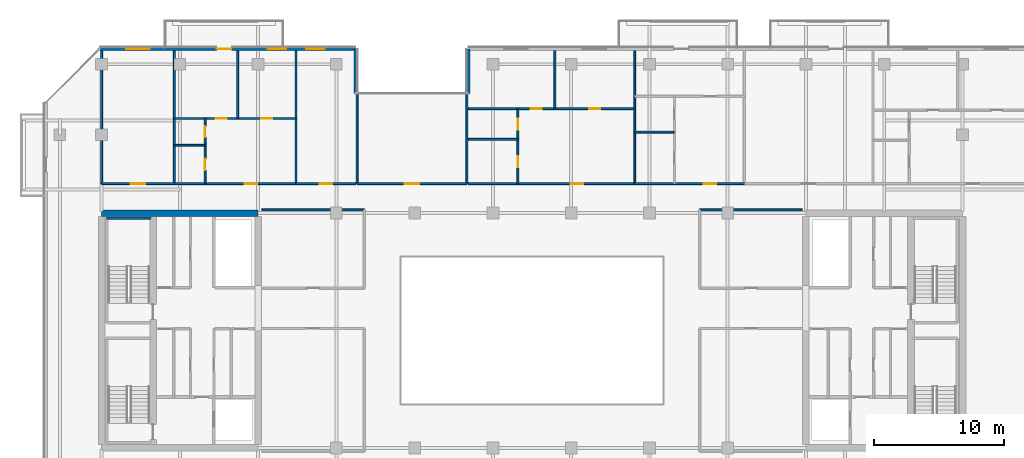
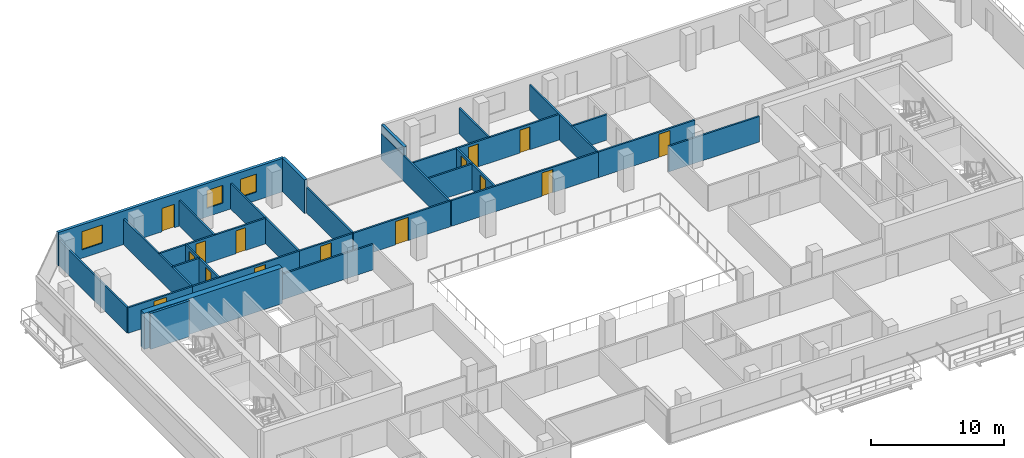
# One storey, part 22 of 29: 28 walls, 15 doors, 3 windows, 18 openings.
"""IFC4 building model written with IfcOpenShell, lengths in metres."""

from ifc_helpers import new_model, si_unit, direction, frame, frame_2d, origin, place, context, subcontext, project, spatial, rectangle, extrude, material, layer, layer_set, type_object, element, fill, save


model = new_model("IFC4")

# Units and contexts
model_context = context("Model", 3, precision=1e-05, world=origin(), true_north=direction((0.0, 1.0)))
body_context = subcontext(model_context, "Body", "Model", "MODEL_VIEW")
ifc_project = project(units=[si_unit("LENGTHUNIT", "METRE"), si_unit("AREAUNIT", "SQUARE_METRE"), si_unit("VOLUMEUNIT", "CUBIC_METRE"), si_unit("PLANEANGLEUNIT", "RADIAN"), si_unit("MASSUNIT", "GRAM", prefix="KILO")], contexts=[model_context])

# Site, building, storey
site_placement = place(None, origin())
site = spatial("IfcSite", under=ifc_project, at=site_placement, CompositionType="ELEMENT")
building_placement = place(site_placement, origin())
building = spatial("IfcBuilding", under=site, at=building_placement, Name="Tanjung Sevakor Pilgrim Tower", CompositionType="ELEMENT")
storey_placement = place(building_placement, frame((0.0, 0.0, 151.800048828125)))
storey = spatial("IfcBuildingStorey", under=building, at=storey_placement, Name="L42", CompositionType="ELEMENT", Elevation=151.800048828125)

# Walls
ifc_material_1 = material(Name="Concrete C60/75", Category="concrete")
ifc_layer_1 = layer(ifc_material_1, 0.5)
ifc_layer_set_1 = layer_set([ifc_layer_1], Name="WALL-CW-500")
wall_type_1 = type_object("IfcWallType", Name="WALL-CW-500", PredefinedType="SHEAR", material=ifc_layer_set_1)
wall_1_placement = place(storey_placement, frame((36.0, 42.60009765625, 0.0), z_axis=(0.0, 0.0, 1.0), x_axis=(-1.0, 0.0, 0.0)))
element("IfcWall", 1, at=wall_1_placement, inside=storey, type_object=wall_type_1, Name="L42 W Core North Shear Wall", PredefinedType="SHEAR", context=body_context, shape_type="SweptSolid", body=[
    extrude(rectangle(XDim=12.0, YDim=0.5, at=frame_2d((6.0, 0.0))), origin(), (0.0, 0.0, 1.0), 3.300048828125),
])
ifc_material_2 = material(Name="Concrete C40/50", Category="concrete")
ifc_layer_2 = layer(ifc_material_2, 0.14990234375)
ifc_layer_set_2 = layer_set([ifc_layer_2], Name="WT-COMP-150")
wall_type_2 = type_object("IfcWallType", Name="WT-COMP-150", PredefinedType="SOLIDWALL", material=ifc_layer_set_2)
for number, where, z_axis, x_axis, name in (
    (2, (36.27001953125, 42.85009765625, 0.0), (0.0, 0.0, 1.0), (1.0, 0.0, 0.0), "L42 Partition IW-L42-037"),
    (3, (69.85009765625, 42.85009765625, 0.0), (0.0, 0.0, 1.0), (1.0, 0.0, 0.0), "L42 Partition IW-L42-043"),
):
    element("IfcWall", number, at=place(storey_placement, frame(where, z_axis=z_axis, x_axis=x_axis)), inside=storey, type_object=wall_type_2, Name=name, PredefinedType="SOLIDWALL", context=body_context, shape_type="SweptSolid", body=[
        extrude(rectangle(XDim=7.8798828125, YDim=0.14990234375, at=frame_2d((3.93994140625, 0.0))), origin(), (0.0, 0.0, 1.0), 2.35009765625),
    ])

# Wall, opening, door
wall_2_placement = place(storey_placement, frame((43.60009765625, 44.85009765625, 0.0), z_axis=(0.0, 0.0, 1.0), x_axis=(1.0, 0.0, 0.0)))
wall_2 = element("IfcWall", 4, at=wall_2_placement, inside=storey, type_object=wall_type_2, Name="L42 Partition IW-L42-048", PredefinedType="SOLIDWALL", context=body_context, shape_type="SweptSolid", body=[
    extrude(rectangle(XDim=8.39990234375, YDim=0.14990234375, at=frame_2d((4.199951171875, 0.0))), origin(), (0.0, 0.0, 1.0), 2.35009765625),
])
opening_1_placement = place(wall_2_placement, frame((3.64990234375, 0.0, 0.0)))
opening_1 = element("IfcOpeningElement", 5, at=opening_1_placement, cuts=wall_2, Name="Opening ID-RM2", PredefinedType="OPENING", context=body_context, shape_type="SweptSolid", body=[
    extrude(rectangle(XDim=1.10009765625, YDim=2.14990234375, at=frame_2d((0.550048828125, 1.074951171875))), frame((0.0, 0.0849609375, 0.0), z_axis=(0.0, -1.0, 0.0), x_axis=(1.0, 0.0, 0.0)), (0.0, 0.0, 1.0), 0.169921875),
])
ifc_material_3 = material(Name="Hardwood Timber", Category="wood")
door_type_1 = type_object("IfcDoorType", Name="DT-INT-1100", OperationType="NOTDEFINED", PredefinedType="DOOR", material=ifc_material_3)
door_1_placement = place(opening_1_placement, origin())
door_1 = element("IfcDoor", 6, at=door_1_placement, inside=storey, type_object=door_type_1, Name="L42 North Cleft Reading Room Door", OperationType="SINGLE_SWING_RIGHT", OverallHeight=2.14990234375, OverallWidth=1.10009765625, PredefinedType="DOOR", context=body_context, shape_type="SweptSolid", body=[
    extrude(rectangle(XDim=1.10009765625, YDim=2.14990234375, at=frame_2d((0.550048828125, 1.074951171875))), frame((0.0, 0.02490234375, 0.0), z_axis=(0.0, -1.0, 0.0), x_axis=(1.0, 0.0, 0.0)), (0.0, 0.0, 1.0), 0.050048828125),
])
fill(opening_1, door_1)

# Walls
for number, where, z_axis, x_axis, name in (
    (7, (43.60009765625, 44.85009765625, 0.0), (0.0, 0.0, 1.0), (0.0, 1.0, 0.0), "L42 Partition IW-L42-049"),
    (8, (52.0, 44.85009765625, 0.0), (0.0, 0.0, 1.0), (0.0, 1.0, 0.0), "L42 Partition IW-L42-050"),
    (9, (24.0, 44.85009765625, 0.0), (0.0, 0.0, 1.0), (0.0, 1.0, 0.0), "L42 Partition IW-L42-079"),
    (10, (29.58984375, 44.85009765625, 0.0), (0.0, 0.0, 1.0), (0.0, 1.0, 0.0), "L42 Partition IW-L42-080"),
):
    element("IfcWall", number, at=place(storey_placement, frame(where, z_axis=z_axis, x_axis=x_axis)), inside=storey, type_object=wall_type_2, Name=name, PredefinedType="SOLIDWALL", context=body_context, shape_type="SweptSolid", body=[
        extrude(rectangle(XDim=10.199951171875, YDim=0.14990234375, at=frame_2d((5.10009765625, 0.0))), origin(), (0.0, 0.0, 1.0), 2.35009765625),
    ])

# Wall, opening, door
wall_3_placement = place(storey_placement, frame((24.0, 44.85009765625, 0.0), z_axis=(0.0, 0.0, 1.0), x_axis=(1.0, 0.0, 0.0)))
wall_3 = element("IfcWall", 11, at=wall_3_placement, inside=storey, type_object=wall_type_2, Name="L42 Partition IW-L42-081", PredefinedType="SOLIDWALL", context=body_context, shape_type="SweptSolid", body=[
    extrude(rectangle(XDim=5.58984375, YDim=0.14990234375, at=frame_2d((2.794921875, 0.0))), origin(), (0.0, 0.0, 1.0), 2.35009765625),
])
opening_2_placement = place(wall_3_placement, frame((2.2451171875, 0.0, 0.0)))
opening_2 = element("IfcOpeningElement", 12, at=opening_2_placement, cuts=wall_3, Name="Opening ID-FD0", PredefinedType="OPENING", context=body_context, shape_type="SweptSolid", body=[
    extrude(rectangle(XDim=1.10009765625, YDim=2.14990234375, at=frame_2d((0.550048828125, 1.074951171875))), frame((0.0, 0.0849609375, 0.0), z_axis=(0.0, -1.0, 0.0), x_axis=(1.0, 0.0, 0.0)), (0.0, 0.0, 1.0), 0.169921875),
])
ifc_material_4 = material(Name="Fire-Rated Steel S355J2", Category="steel")
door_type_2 = type_object("IfcDoorType", Name="DT-FIRE-1100", OperationType="NOTDEFINED", PredefinedType="DOOR", material=ifc_material_4)
door_2_placement = place(opening_2_placement, origin())
door_2 = element("IfcDoor", 13, at=door_2_placement, inside=storey, type_object=door_type_2, Name="Seminar Room Door", OperationType="SINGLE_SWING_RIGHT", OverallHeight=2.14990234375, OverallWidth=1.10009765625, PredefinedType="DOOR", context=body_context, shape_type="SweptSolid", body=[
    extrude(rectangle(XDim=1.10009765625, YDim=2.14990234375, at=frame_2d((0.550048828125, 1.074951171875))), frame((0.0, 0.02490234375, 0.0), z_axis=(0.0, -1.0, 0.0), x_axis=(1.0, 0.0, 0.0)), (0.0, 0.0, 1.0), 0.050048828125),
])
fill(opening_2, door_2)

# Wall
wall_4_placement = place(storey_placement, frame((38.906494140625, 44.85009765625, 0.0), z_axis=(0.0, 0.0, 1.0), x_axis=(0.0, 1.0, 0.0)))
element("IfcWall", 14, at=wall_4_placement, inside=storey, type_object=wall_type_2, Name="L42 Partition IW-L42-082", PredefinedType="SOLIDWALL", context=body_context, shape_type="SweptSolid", body=[
    extrude(rectangle(XDim=10.199951171875, YDim=0.14990234375, at=frame_2d((5.10009765625, 0.0))), origin(), (0.0, 0.0, 1.0), 2.35009765625),
])

# Wall, opening, door
wall_5_placement = place(storey_placement, frame((29.58984375, 44.85009765625, 0.0), z_axis=(0.0, 0.0, 1.0), x_axis=(1.0, 0.0, 0.0)))
wall_5 = element("IfcWall", 15, at=wall_5_placement, inside=storey, type_object=wall_type_2, Name="L42 Partition IW-L42-087", PredefinedType="SOLIDWALL", context=body_context, shape_type="SweptSolid", body=[
    extrude(rectangle(XDim=9.316650390625, YDim=0.14990234375, at=frame_2d((4.658203125, 0.0))), origin(), (0.0, 0.0, 1.0), 2.35009765625),
])
opening_3_placement = place(wall_5_placement, frame((5.398193359375, 0.0, 0.0)))
opening_3 = element("IfcOpeningElement", 16, at=opening_3_placement, cuts=wall_5, Name="Opening ID-FD2", PredefinedType="OPENING", context=body_context, shape_type="SweptSolid", body=[
    extrude(rectangle(XDim=0.949951171875, YDim=2.14990234375, at=frame_2d((0.47509765625, 1.074951171875))), frame((0.0, 0.0849609375, 0.0), z_axis=(0.0, -1.0, 0.0), x_axis=(1.0, 0.0, 0.0)), (0.0, 0.0, 1.0), 0.169921875),
])
ifc_material_5 = material(Name="Fire-Rated Timber", Category="wood")
door_type_3 = type_object("IfcDoorType", Name="DT-FIRE-950", OperationType="NOTDEFINED", PredefinedType="DOOR", material=ifc_material_5)
door_3_placement = place(opening_3_placement, origin())
door_3 = element("IfcDoor", 17, at=door_3_placement, inside=storey, type_object=door_type_3, Name="Suite Entrance", OperationType="SINGLE_SWING_LEFT", OverallHeight=2.14990234375, OverallWidth=0.949951171875, PredefinedType="DOOR", context=body_context, shape_type="SweptSolid", body=[
    extrude(rectangle(XDim=0.949951171875, YDim=2.14990234375, at=frame_2d((0.47509765625, 1.074951171875))), frame((0.0, 0.02490234375, 0.0), z_axis=(0.0, -1.0, 0.0), x_axis=(1.0, 0.0, 0.0)), (0.0, 0.0, 1.0), 0.050048828125),
])
fill(opening_3, door_3)

wall_6_placement = place(storey_placement, frame((38.906494140625, 44.85009765625, 0.0), z_axis=(0.0, 0.0, 1.0), x_axis=(1.0, 0.0, 0.0)))
wall_6 = element("IfcWall", 18, at=wall_6_placement, inside=storey, type_object=wall_type_2, Name="L42 Partition IW-L42-088", PredefinedType="SOLIDWALL", context=body_context, shape_type="SweptSolid", body=[
    extrude(rectangle(XDim=4.573486328125, YDim=0.14990234375, at=frame_2d((2.28662109375, 0.0))), origin(), (0.0, 0.0, 1.0), 2.35009765625),
])
opening_4_placement = place(wall_6_placement, frame((1.811767578125, 0.0, 0.0)))
opening_4 = element("IfcOpeningElement", 19, at=opening_4_placement, cuts=wall_6, Name="Opening ID-FD2", PredefinedType="OPENING", context=body_context, shape_type="SweptSolid", body=[
    extrude(rectangle(XDim=0.949951171875, YDim=2.14990234375, at=frame_2d((0.47509765625, 1.074951171875))), frame((0.0, 0.0849609375, 0.0), z_axis=(0.0, -1.0, 0.0), x_axis=(1.0, 0.0, 0.0)), (0.0, 0.0, 1.0), 0.169921875),
])
door_4_placement = place(opening_4_placement, origin())
door_4 = element("IfcDoor", 20, at=door_4_placement, inside=storey, type_object=door_type_3, Name="Study Room Entrance", OperationType="SINGLE_SWING_RIGHT", OverallHeight=2.14990234375, OverallWidth=0.949951171875, PredefinedType="DOOR", context=body_context, shape_type="SweptSolid", body=[
    extrude(rectangle(XDim=0.949951171875, YDim=2.14990234375, at=frame_2d((0.47509765625, 1.074951171875))), frame((0.0, 0.02490234375, 0.0), z_axis=(0.0, -1.0, 0.0), x_axis=(1.0, 0.0, 0.0)), (0.0, 0.0, 1.0), 0.050048828125),
])
fill(opening_4, door_4)

# Wall
wall_7_placement = place(storey_placement, frame((64.8740234375, 44.85009765625, 0.0), z_axis=(0.0, 0.0, 1.0), x_axis=(0.0, 1.0, 0.0)))
element("IfcWall", 21, at=wall_7_placement, inside=storey, type_object=wall_type_2, Name="L42 Partition IW-L42-090", PredefinedType="SOLIDWALL", context=body_context, shape_type="SweptSolid", body=[
    extrude(rectangle(XDim=10.199951171875, YDim=0.14990234375, at=frame_2d((5.10009765625, 0.0))), origin(), (0.0, 0.0, 1.0), 2.35009765625),
])

# Wall, opening, door
wall_8_placement = place(storey_placement, frame((52.1201171875, 44.85009765625, 0.0), z_axis=(0.0, 0.0, 1.0), x_axis=(1.0, 0.0, 0.0)))
wall_8 = element("IfcWall", 22, at=wall_8_placement, inside=storey, type_object=wall_type_2, Name="L42 Partition IW-L42-095", PredefinedType="SOLIDWALL", context=body_context, shape_type="SweptSolid", body=[
    extrude(rectangle(XDim=12.75390625, YDim=0.14990234375, at=frame_2d((6.376953125, 0.0))), origin(), (0.0, 0.0, 1.0), 2.35009765625),
])
opening_5_placement = place(wall_8_placement, frame((7.842041015625, 0.0, 0.0)))
opening_5 = element("IfcOpeningElement", 23, at=opening_5_placement, cuts=wall_8, Name="Opening ID-FD2", PredefinedType="OPENING", context=body_context, shape_type="SweptSolid", body=[
    extrude(rectangle(XDim=0.949951171875, YDim=2.14990234375, at=frame_2d((0.47509765625, 1.074951171875))), frame((0.0, 0.0849609375, 0.0), z_axis=(0.0, -1.0, 0.0), x_axis=(1.0, 0.0, 0.0)), (0.0, 0.0, 1.0), 0.169921875),
])
door_5_placement = place(opening_5_placement, origin())
door_5 = element("IfcDoor", 24, at=door_5_placement, inside=storey, type_object=door_type_3, Name="Suite Entrance", OperationType="SINGLE_SWING_LEFT", OverallHeight=2.14990234375, OverallWidth=0.949951171875, PredefinedType="DOOR", context=body_context, shape_type="SweptSolid", body=[
    extrude(rectangle(XDim=0.949951171875, YDim=2.14990234375, at=frame_2d((0.47509765625, 1.074951171875))), frame((0.0, 0.02490234375, 0.0), z_axis=(0.0, -1.0, 0.0), x_axis=(1.0, 0.0, 0.0)), (0.0, 0.0, 1.0), 0.050048828125),
])
fill(opening_5, door_5)

wall_9_placement = place(storey_placement, frame((64.8740234375, 44.85009765625, 0.0), z_axis=(0.0, 0.0, 1.0), x_axis=(1.0, 0.0, 0.0)))
wall_9 = element("IfcWall", 25, at=wall_9_placement, inside=storey, type_object=wall_type_2, Name="L42 Partition IW-L42-100", PredefinedType="SOLIDWALL", context=body_context, shape_type="SweptSolid", body=[
    extrude(rectangle(XDim=8.40625, YDim=0.14990234375, at=frame_2d((4.203125, 0.0))), origin(), (0.0, 0.0, 1.0), 2.35009765625),
])
opening_6_placement = place(wall_9_placement, frame((5.291015625, 0.0, 0.0)))
opening_6 = element("IfcOpeningElement", 26, at=opening_6_placement, cuts=wall_9, Name="Opening ID-FD2", PredefinedType="OPENING", context=body_context, shape_type="SweptSolid", body=[
    extrude(rectangle(XDim=0.949951171875, YDim=2.14990234375, at=frame_2d((0.47509765625, 1.074951171875))), frame((0.0, 0.0849609375, 0.0), z_axis=(0.0, -1.0, 0.0), x_axis=(1.0, 0.0, 0.0)), (0.0, 0.0, 1.0), 0.169921875),
])
door_6_placement = place(opening_6_placement, origin())
door_6 = element("IfcDoor", 27, at=door_6_placement, inside=storey, type_object=door_type_3, Name="Residence Entrance", OperationType="SINGLE_SWING_LEFT", OverallHeight=2.14990234375, OverallWidth=0.949951171875, PredefinedType="DOOR", context=body_context, shape_type="SweptSolid", body=[
    extrude(rectangle(XDim=0.949951171875, YDim=2.14990234375, at=frame_2d((0.47509765625, 1.074951171875))), frame((0.0, 0.02490234375, 0.0), z_axis=(0.0, -1.0, 0.0), x_axis=(1.0, 0.0, 0.0)), (0.0, 0.0, 1.0), 0.050048828125),
])
fill(opening_6, door_6)

# Walls
ifc_material_6 = material(Name="Precast concrete C45/55", Category="concrete")
ifc_layer_3 = layer(ifc_material_6, 0.25)
ifc_layer_set_3 = layer_set([ifc_layer_3], Name="WT-EW-STN3")
wall_type_3 = type_object("IfcWallType", Name="WT-EW-STN3", PredefinedType="SOLIDWALL", material=ifc_layer_set_3)
for number, where, z_axis, x_axis, name in (
    (28, (52.125, 55.175048828125, 0.0), (0.0, 0.0, 1.0), (0.0, -1.0, 0.0), "L42 MAIN Exterior Wall 10"),
    (29, (43.47509765625, 51.77490234375, 0.0), (0.0, 0.0, 1.0), (0.0, 1.0, 0.0), "L42 MAIN Exterior Wall 12"),
):
    element("IfcWall", number, at=place(storey_placement, frame(where, z_axis=z_axis, x_axis=x_axis)), inside=storey, type_object=wall_type_3, Name=name, PredefinedType="SOLIDWALL", context=body_context, shape_type="SweptSolid", body=[
        extrude(rectangle(XDim=3.400146484375, YDim=0.25, at=frame_2d((1.7001953125, 0.0))), origin(), (0.0, 0.0, 1.0), 3.080078125),
    ])

# Wall, openings, door, windows
wall_10_placement = place(storey_placement, frame((43.47509765625, 55.175048828125, 0.0), z_axis=(0.0, 0.0, 1.0), x_axis=(-1.0, 0.0, 0.0)))
wall_10 = element("IfcWall", 30, at=wall_10_placement, inside=storey, type_object=wall_type_3, Name="L42 MAIN Exterior Wall 13", PredefinedType="SOLIDWALL", context=body_context, shape_type="SweptSolid", body=[
    extrude(rectangle(XDim=19.623291015625, YDim=0.25, at=frame_2d((9.8115234375, 0.0))), origin(), (0.0, 0.0, 1.0), 3.080078125),
])
opening_7_placement = place(wall_10_placement, frame((9.52490234375, 0.0, 0.0)))
opening_7 = element("IfcOpeningElement", 31, at=opening_7_placement, cuts=wall_10, Name="Opening ED-BAL-1100", PredefinedType="OPENING", context=body_context, shape_type="SweptSolid", body=[
    extrude(rectangle(XDim=1.10009765625, YDim=2.14990234375, at=frame_2d((0.550048828125, 1.074951171875))), frame((0.0, 0.135009765625, 0.0), z_axis=(0.0, -1.0, 0.0), x_axis=(1.0, 0.0, 0.0)), (0.0, 0.0, 1.0), 0.27001953125),
])
opening_8_placement = place(wall_10_placement, frame((15.780029296875, 0.0, 0.780029296875)))
opening_8 = element("IfcOpeningElement", 32, at=opening_8_placement, cuts=wall_10, Name="Opening WN-Z3-1660", PredefinedType="OPENING", context=body_context, shape_type="SweptSolid", body=[
    extrude(rectangle(XDim=1.800048828125, YDim=1.659912109375, at=frame_2d((0.89990234375, 0.830078125))), frame((0.0, 0.135009765625, 0.0), z_axis=(0.0, -1.0, 0.0), x_axis=(1.0, 0.0, 0.0)), (0.0, 0.0, 1.0), 0.27001953125),
])
opening_9_placement = place(wall_10_placement, frame((5.314697265625, 0.0, 0.780029296875)))
opening_9 = element("IfcOpeningElement", 33, at=opening_9_placement, cuts=wall_10, Name="Opening WN-END", PredefinedType="OPENING", context=body_context, shape_type="SweptSolid", body=[
    extrude(rectangle(XDim=1.39990234375, YDim=1.64990234375, at=frame_2d((0.699951171875, 0.824951171875))), frame((0.0, 0.135009765625, 0.0), z_axis=(0.0, -1.0, 0.0), x_axis=(1.0, 0.0, 0.0)), (0.0, 0.0, 1.0), 0.27001953125),
])
opening_10_placement = place(wall_10_placement, frame((2.3818359375, 0.0, 0.780029296875)))
opening_10 = element("IfcOpeningElement", 34, at=opening_10_placement, cuts=wall_10, Name="Opening WN-END", PredefinedType="OPENING", context=body_context, shape_type="SweptSolid", body=[
    extrude(rectangle(XDim=1.39990234375, YDim=1.64990234375, at=frame_2d((0.699951171875, 0.824951171875))), frame((0.0, 0.135009765625, 0.0), z_axis=(0.0, -1.0, 0.0), x_axis=(1.0, 0.0, 0.0)), (0.0, 0.0, 1.0), 0.27001953125),
])
ifc_material_7 = material(Name="Anodised Aluminium and Laminated Glass", Category="aluminium")
door_type_4 = type_object("IfcDoorType", Name="DTYP-ED-BAL-1100", OperationType="NOTDEFINED", PredefinedType="DOOR", material=ifc_material_7)
door_7_placement = place(opening_7_placement, frame((1.10009765625, 0.0, 0.0), z_axis=(0.0, 0.0, 1.0), x_axis=(-1.0, 0.0, 0.0)))
door_7 = element("IfcDoor", 35, at=door_7_placement, inside=storey, type_object=door_type_4, Name="L42 Balcony Door MAIN-N1", OperationType="SINGLE_SWING_RIGHT", OverallHeight=2.14990234375, OverallWidth=1.10009765625, PredefinedType="DOOR", context=body_context, shape_type="SweptSolid", body=[
    extrude(rectangle(XDim=1.10009765625, YDim=2.14990234375, at=frame_2d((0.550048828125, 1.074951171875))), frame((0.0, 0.02490234375, 0.0), z_axis=(0.0, -1.0, 0.0), x_axis=(1.0, 0.0, 0.0)), (0.0, 0.0, 1.0), 0.050048828125),
])
fill(opening_7, door_7)
ifc_material_8 = material(Name="Thermally Broken Aluminium and Low-E Glass", Category="aluminium")
window_type_1 = type_object("IfcWindowType", Name="WTYP-WN-END", PartitioningType="SINGLE_PANEL", PredefinedType="WINDOW", material=ifc_material_8)
window_1_placement = place(opening_9_placement, origin())
window_1 = element("IfcWindow", 36, at=window_1_placement, inside=storey, type_object=window_type_1, Name="L42 Facade Window 02", OverallHeight=1.64990234375, OverallWidth=1.39990234375, PartitioningType="SINGLE_PANEL", PredefinedType="WINDOW", context=body_context, shape_type="SweptSolid", body=[
    extrude(rectangle(XDim=1.39990234375, YDim=1.64990234375, at=frame_2d((0.699951171875, 0.824951171875))), frame((0.0, 0.030029296875, 0.0), z_axis=(0.0, -1.0, 0.0), x_axis=(1.0, 0.0, 0.0)), (0.0, 0.0, 1.0), 0.06005859375),
])
fill(opening_9, window_1)
window_2_placement = place(opening_10_placement, origin())
window_2 = element("IfcWindow", 37, at=window_2_placement, inside=storey, type_object=window_type_1, Name="L42 Facade Window 03", OverallHeight=1.64990234375, OverallWidth=1.39990234375, PartitioningType="SINGLE_PANEL", PredefinedType="WINDOW", context=body_context, shape_type="SweptSolid", body=[
    extrude(rectangle(XDim=1.39990234375, YDim=1.64990234375, at=frame_2d((0.699951171875, 0.824951171875))), frame((0.0, 0.030029296875, 0.0), z_axis=(0.0, -1.0, 0.0), x_axis=(1.0, 0.0, 0.0)), (0.0, 0.0, 1.0), 0.06005859375),
])
fill(opening_10, window_2)
ifc_material_9 = material(Name="Thermally Broken Aluminium and Low-E Glass", Category="aluminium")
window_type_2 = type_object("IfcWindowType", Name="WTYP-WN-Z3-1660", PartitioningType="DOUBLE_PANEL_VERTICAL", PredefinedType="WINDOW", material=ifc_material_9)
window_3_placement = place(opening_8_placement, origin())
window_3 = element("IfcWindow", 38, at=window_3_placement, inside=storey, type_object=window_type_2, Name="L42 Facade Window 01", OverallHeight=1.659912109375, OverallWidth=1.800048828125, PartitioningType="SINGLE_PANEL", PredefinedType="WINDOW", context=body_context, shape_type="SweptSolid", body=[
    extrude(rectangle(XDim=1.800048828125, YDim=1.659912109375, at=frame_2d((0.89990234375, 0.830078125))), frame((0.0, 0.030029296875, 0.0), z_axis=(0.0, -1.0, 0.0), x_axis=(1.0, 0.0, 0.0)), (0.0, 0.0, 1.0), 0.06005859375),
])
fill(opening_8, window_3)

# Walls
ifc_material_10 = material(Name="Concrete C40/50", Category="concrete")
ifc_layer_4 = layer(ifc_material_10, 0.199951171875)
ifc_layer_set_4 = layer_set([ifc_layer_4], Name="WT-FIRE-200")
wall_type_4 = type_object("IfcWallType", Name="WT-FIRE-200", PredefinedType="SOLIDWALL", material=ifc_layer_set_4)
wall_11_placement = place(storey_placement, frame((27.800048828125, 42.199951171875, 0.0), z_axis=(0.0, 0.0, 1.0), x_axis=(-1.0, 0.0, 0.0)))
element("IfcWall", 39, at=wall_11_placement, inside=storey, type_object=wall_type_4, Name="L42 TS-W2 Shaft Wall 2", PredefinedType="SOLIDWALL", context=body_context, shape_type="SweptSolid", body=[
    extrude(rectangle(XDim=3.400146484375, YDim=0.199951171875, at=frame_2d((1.7001953125, 0.0))), origin(), (0.0, 0.0, 1.0), 3.300048828125),
])
ifc_material_11 = material(Name="Gypsum Board Partition", Category="gypsum board")
ifc_layer_5 = layer(ifc_material_11, 0.14990234375)
ifc_layer_set_5 = layer_set([ifc_layer_5], Name="WT-PART-150")
wall_type_5 = type_object("IfcWallType", Name="WT-PART-150", PredefinedType="PARTITIONING", material=ifc_layer_set_5)
wall_12_placement = place(storey_placement, frame((29.58984375, 47.800048828125, 0.0), z_axis=(0.0, 0.0, 1.0), x_axis=(1.0, 0.0, 0.0)))
element("IfcWall", 40, at=wall_12_placement, inside=storey, type_object=wall_type_5, Name="L42 Partition IW-L42-083", PredefinedType="PARTITIONING", context=body_context, shape_type="SweptSolid", body=[
    extrude(rectangle(XDim=2.35009765625, YDim=0.14990234375, at=frame_2d((1.175048828125, 0.0))), origin(), (0.0, 0.0, 1.0), 2.35009765625),
])

# Wall, openings, doors
wall_13_placement = place(storey_placement, frame((31.93994140625, 44.85009765625, 0.0), z_axis=(0.0, 0.0, 1.0), x_axis=(0.0, 1.0, 0.0)))
wall_13 = element("IfcWall", 41, at=wall_13_placement, inside=storey, type_object=wall_type_5, Name="L42 Partition IW-L42-084", PredefinedType="PARTITIONING", context=body_context, shape_type="SweptSolid", body=[
    extrude(rectangle(XDim=5.0, YDim=0.14990234375, at=frame_2d((2.5, 0.0))), origin(), (0.0, 0.0, 1.0), 2.35009765625),
])
opening_11_placement = place(wall_13_placement, frame((1.050048828125, 0.0, 0.0)))
opening_11 = element("IfcOpeningElement", 42, at=opening_11_placement, cuts=wall_13, Name="Opening ID-WC1", PredefinedType="OPENING", context=body_context, shape_type="SweptSolid", body=[
    extrude(rectangle(XDim=0.85009765625, YDim=2.10009765625, at=frame_2d((0.425048828125, 1.050048828125))), frame((0.0, 0.0849609375, 0.0), z_axis=(0.0, -1.0, 0.0), x_axis=(1.0, 0.0, 0.0)), (0.0, 0.0, 1.0), 0.169921875),
])
opening_12_placement = place(wall_13_placement, frame((3.550048828125, 0.0, 0.0)))
opening_12 = element("IfcOpeningElement", 43, at=opening_12_placement, cuts=wall_13, Name="Opening ID-WC1", PredefinedType="OPENING", context=body_context, shape_type="SweptSolid", body=[
    extrude(rectangle(XDim=0.85009765625, YDim=2.10009765625, at=frame_2d((0.425048828125, 1.050048828125))), frame((0.0, 0.0849609375, 0.0), z_axis=(0.0, -1.0, 0.0), x_axis=(1.0, 0.0, 0.0)), (0.0, 0.0, 1.0), 0.169921875),
])
ifc_material_12 = material(Name="Moisture-Resistant Timber", Category="wood")
door_type_5 = type_object("IfcDoorType", Name="DT-INT-850", OperationType="NOTDEFINED", PredefinedType="DOOR", material=ifc_material_12)
door_8_placement = place(opening_11_placement, origin())
door_8 = element("IfcDoor", 44, at=door_8_placement, inside=storey, type_object=door_type_5, Name="Suite Kitchenette Door", OperationType="SINGLE_SWING_LEFT", OverallHeight=2.10009765625, OverallWidth=0.85009765625, PredefinedType="DOOR", context=body_context, shape_type="SweptSolid", body=[
    extrude(rectangle(XDim=0.85009765625, YDim=2.10009765625, at=frame_2d((0.425048828125, 1.050048828125))), frame((0.0, 0.02490234375, 0.0), z_axis=(0.0, -1.0, 0.0), x_axis=(1.0, 0.0, 0.0)), (0.0, 0.0, 1.0), 0.050048828125),
])
fill(opening_11, door_8)
door_9_placement = place(opening_12_placement, origin())
door_9 = element("IfcDoor", 45, at=door_9_placement, inside=storey, type_object=door_type_5, Name="Suite Bathroom Door", OperationType="SINGLE_SWING_RIGHT", OverallHeight=2.10009765625, OverallWidth=0.85009765625, PredefinedType="DOOR", context=body_context, shape_type="SweptSolid", body=[
    extrude(rectangle(XDim=0.85009765625, YDim=2.10009765625, at=frame_2d((0.425048828125, 1.050048828125))), frame((0.0, 0.02490234375, 0.0), z_axis=(0.0, -1.0, 0.0), x_axis=(1.0, 0.0, 0.0)), (0.0, 0.0, 1.0), 0.050048828125),
])
fill(opening_12, door_9)

# Wall
wall_14_placement = place(storey_placement, frame((34.4345703125, 49.85009765625, 0.0), z_axis=(0.0, 0.0, 1.0), x_axis=(0.0, 1.0, 0.0)))
element("IfcWall", 46, at=wall_14_placement, inside=storey, type_object=wall_type_5, Name="L42 Partition IW-L42-085", PredefinedType="PARTITIONING", context=body_context, shape_type="SweptSolid", body=[
    extrude(rectangle(XDim=5.199951171875, YDim=0.14990234375, at=frame_2d((2.60009765625, 0.0))), origin(), (0.0, 0.0, 1.0), 2.35009765625),
])

# Wall, openings, doors
wall_15_placement = place(storey_placement, frame((29.58984375, 49.85009765625, 0.0), z_axis=(0.0, 0.0, 1.0), x_axis=(1.0, 0.0, 0.0)))
wall_15 = element("IfcWall", 47, at=wall_15_placement, inside=storey, type_object=wall_type_5, Name="L42 Partition IW-L42-086", PredefinedType="PARTITIONING", context=body_context, shape_type="SweptSolid", body=[
    extrude(rectangle(XDim=9.316650390625, YDim=0.14990234375, at=frame_2d((4.658203125, 0.0))), origin(), (0.0, 0.0, 1.0), 2.35009765625),
])
opening_13_placement = place(wall_15_placement, frame((3.17236328125, 0.0, 0.0)))
opening_13 = element("IfcOpeningElement", 48, at=opening_13_placement, cuts=wall_15, Name="Opening ID-WC1", PredefinedType="OPENING", context=body_context, shape_type="SweptSolid", body=[
    extrude(rectangle(XDim=0.85009765625, YDim=2.10009765625, at=frame_2d((0.425048828125, 1.050048828125))), frame((0.0, 0.0849609375, 0.0), z_axis=(0.0, -1.0, 0.0), x_axis=(1.0, 0.0, 0.0)), (0.0, 0.0, 1.0), 0.169921875),
])
opening_14_placement = place(wall_15_placement, frame((6.655517578125, 0.0, 0.0)))
opening_14 = element("IfcOpeningElement", 49, at=opening_14_placement, cuts=wall_15, Name="Opening ID-WC1", PredefinedType="OPENING", context=body_context, shape_type="SweptSolid", body=[
    extrude(rectangle(XDim=0.85009765625, YDim=2.10009765625, at=frame_2d((0.425048828125, 1.050048828125))), frame((0.0, 0.0849609375, 0.0), z_axis=(0.0, -1.0, 0.0), x_axis=(1.0, 0.0, 0.0)), (0.0, 0.0, 1.0), 0.169921875),
])
door_10_placement = place(opening_13_placement, origin())
door_10 = element("IfcDoor", 50, at=door_10_placement, inside=storey, type_object=door_type_5, Name="Suite Bedroom 1 Door", OperationType="SINGLE_SWING_LEFT", OverallHeight=2.10009765625, OverallWidth=0.85009765625, PredefinedType="DOOR", context=body_context, shape_type="SweptSolid", body=[
    extrude(rectangle(XDim=0.85009765625, YDim=2.10009765625, at=frame_2d((0.425048828125, 1.050048828125))), frame((0.0, 0.02490234375, 0.0), z_axis=(0.0, -1.0, 0.0), x_axis=(1.0, 0.0, 0.0)), (0.0, 0.0, 1.0), 0.050048828125),
])
fill(opening_13, door_10)
door_11_placement = place(opening_14_placement, origin())
door_11 = element("IfcDoor", 51, at=door_11_placement, inside=storey, type_object=door_type_5, Name="Suite Bedroom 2 Door", OperationType="SINGLE_SWING_RIGHT", OverallHeight=2.10009765625, OverallWidth=0.85009765625, PredefinedType="DOOR", context=body_context, shape_type="SweptSolid", body=[
    extrude(rectangle(XDim=0.85009765625, YDim=2.10009765625, at=frame_2d((0.425048828125, 1.050048828125))), frame((0.0, 0.02490234375, 0.0), z_axis=(0.0, -1.0, 0.0), x_axis=(1.0, 0.0, 0.0)), (0.0, 0.0, 1.0), 0.050048828125),
])
fill(opening_14, door_11)

# Wall
wall_16_placement = place(storey_placement, frame((52.1201171875, 48.24365234375, 0.0), z_axis=(0.0, 0.0, 1.0), x_axis=(1.0, 0.0, 0.0)))
element("IfcWall", 52, at=wall_16_placement, inside=storey, type_object=wall_type_5, Name="L42 Partition IW-L42-091", PredefinedType="PARTITIONING", context=body_context, shape_type="SweptSolid", body=[
    extrude(rectangle(XDim=3.7998046875, YDim=0.14990234375, at=frame_2d((1.89990234375, 0.0))), origin(), (0.0, 0.0, 1.0), 2.35009765625),
])

# Wall, openings, doors
wall_17_placement = place(storey_placement, frame((55.919921875, 44.85009765625, 0.0), z_axis=(0.0, 0.0, 1.0), x_axis=(0.0, 1.0, 0.0)))
wall_17 = element("IfcWall", 53, at=wall_17_placement, inside=storey, type_object=wall_type_5, Name="L42 Partition IW-L42-092", PredefinedType="PARTITIONING", context=body_context, shape_type="SweptSolid", body=[
    extrude(rectangle(XDim=5.751708984375, YDim=0.14990234375, at=frame_2d((2.8759765625, 0.0))), origin(), (0.0, 0.0, 1.0), 2.35009765625),
])
opening_15_placement = place(wall_17_placement, frame((1.271728515625, 0.0, 0.0)))
opening_15 = element("IfcOpeningElement", 54, at=opening_15_placement, cuts=wall_17, Name="Opening ID-WC1", PredefinedType="OPENING", context=body_context, shape_type="SweptSolid", body=[
    extrude(rectangle(XDim=0.85009765625, YDim=2.10009765625, at=frame_2d((0.425048828125, 1.050048828125))), frame((0.0, 0.0849609375, 0.0), z_axis=(0.0, -1.0, 0.0), x_axis=(1.0, 0.0, 0.0)), (0.0, 0.0, 1.0), 0.169921875),
])
opening_16_placement = place(wall_17_placement, frame((4.147705078125, 0.0, 0.0)))
opening_16 = element("IfcOpeningElement", 55, at=opening_16_placement, cuts=wall_17, Name="Opening ID-WC1", PredefinedType="OPENING", context=body_context, shape_type="SweptSolid", body=[
    extrude(rectangle(XDim=0.85009765625, YDim=2.10009765625, at=frame_2d((0.425048828125, 1.050048828125))), frame((0.0, 0.0849609375, 0.0), z_axis=(0.0, -1.0, 0.0), x_axis=(1.0, 0.0, 0.0)), (0.0, 0.0, 1.0), 0.169921875),
])
door_12_placement = place(opening_15_placement, origin())
door_12 = element("IfcDoor", 56, at=door_12_placement, inside=storey, type_object=door_type_5, Name="Suite Kitchenette Door", OperationType="SINGLE_SWING_LEFT", OverallHeight=2.10009765625, OverallWidth=0.85009765625, PredefinedType="DOOR", context=body_context, shape_type="SweptSolid", body=[
    extrude(rectangle(XDim=0.85009765625, YDim=2.10009765625, at=frame_2d((0.425048828125, 1.050048828125))), frame((0.0, 0.02490234375, 0.0), z_axis=(0.0, -1.0, 0.0), x_axis=(1.0, 0.0, 0.0)), (0.0, 0.0, 1.0), 0.050048828125),
])
fill(opening_15, door_12)
door_13_placement = place(opening_16_placement, origin())
door_13 = element("IfcDoor", 57, at=door_13_placement, inside=storey, type_object=door_type_5, Name="Suite Bathroom Door", OperationType="SINGLE_SWING_RIGHT", OverallHeight=2.10009765625, OverallWidth=0.85009765625, PredefinedType="DOOR", context=body_context, shape_type="SweptSolid", body=[
    extrude(rectangle(XDim=0.85009765625, YDim=2.10009765625, at=frame_2d((0.425048828125, 1.050048828125))), frame((0.0, 0.02490234375, 0.0), z_axis=(0.0, -1.0, 0.0), x_axis=(1.0, 0.0, 0.0)), (0.0, 0.0, 1.0), 0.050048828125),
])
fill(opening_16, door_13)

# Wall
wall_18_placement = place(storey_placement, frame((58.752197265625, 50.601806640625, 0.0), z_axis=(0.0, 0.0, 1.0), x_axis=(0.0, 1.0, 0.0)))
element("IfcWall", 58, at=wall_18_placement, inside=storey, type_object=wall_type_5, Name="L42 Partition IW-L42-093", PredefinedType="PARTITIONING", context=body_context, shape_type="SweptSolid", body=[
    extrude(rectangle(XDim=4.4482421875, YDim=0.14990234375, at=frame_2d((2.22412109375, 0.0))), origin(), (0.0, 0.0, 1.0), 2.35009765625),
])

# Wall, openings, doors
wall_19_placement = place(storey_placement, frame((52.1201171875, 50.601806640625, 0.0), z_axis=(0.0, 0.0, 1.0), x_axis=(1.0, 0.0, 0.0)))
wall_19 = element("IfcWall", 59, at=wall_19_placement, inside=storey, type_object=wall_type_5, Name="L42 Partition IW-L42-094", PredefinedType="PARTITIONING", context=body_context, shape_type="SweptSolid", body=[
    extrude(rectangle(XDim=12.75390625, YDim=0.14990234375, at=frame_2d((6.376953125, 0.0))), origin(), (0.0, 0.0, 1.0), 2.35009765625),
])
opening_17_placement = place(wall_19_placement, frame((4.791015625, 0.0, 0.0)))
opening_17 = element("IfcOpeningElement", 60, at=opening_17_placement, cuts=wall_19, Name="Opening ID-WC1", PredefinedType="OPENING", context=body_context, shape_type="SweptSolid", body=[
    extrude(rectangle(XDim=0.85009765625, YDim=2.10009765625, at=frame_2d((0.425048828125, 1.050048828125))), frame((0.0, 0.0849609375, 0.0), z_axis=(0.0, -1.0, 0.0), x_axis=(1.0, 0.0, 0.0)), (0.0, 0.0, 1.0), 0.169921875),
])
opening_18_placement = place(wall_19_placement, frame((9.26806640625, 0.0, 0.0)))
opening_18 = element("IfcOpeningElement", 61, at=opening_18_placement, cuts=wall_19, Name="Opening ID-WC1", PredefinedType="OPENING", context=body_context, shape_type="SweptSolid", body=[
    extrude(rectangle(XDim=0.85009765625, YDim=2.10009765625, at=frame_2d((0.425048828125, 1.050048828125))), frame((0.0, 0.0849609375, 0.0), z_axis=(0.0, -1.0, 0.0), x_axis=(1.0, 0.0, 0.0)), (0.0, 0.0, 1.0), 0.169921875),
])
door_14_placement = place(opening_17_placement, origin())
door_14 = element("IfcDoor", 62, at=door_14_placement, inside=storey, type_object=door_type_5, Name="Suite Bedroom 1 Door", OperationType="SINGLE_SWING_LEFT", OverallHeight=2.10009765625, OverallWidth=0.85009765625, PredefinedType="DOOR", context=body_context, shape_type="SweptSolid", body=[
    extrude(rectangle(XDim=0.85009765625, YDim=2.10009765625, at=frame_2d((0.425048828125, 1.050048828125))), frame((0.0, 0.02490234375, 0.0), z_axis=(0.0, -1.0, 0.0), x_axis=(1.0, 0.0, 0.0)), (0.0, 0.0, 1.0), 0.050048828125),
])
fill(opening_17, door_14)
door_15_placement = place(opening_18_placement, origin())
door_15 = element("IfcDoor", 63, at=door_15_placement, inside=storey, type_object=door_type_5, Name="Suite Bedroom 2 Door", OperationType="SINGLE_SWING_RIGHT", OverallHeight=2.10009765625, OverallWidth=0.85009765625, PredefinedType="DOOR", context=body_context, shape_type="SweptSolid", body=[
    extrude(rectangle(XDim=0.85009765625, YDim=2.10009765625, at=frame_2d((0.425048828125, 1.050048828125))), frame((0.0, 0.02490234375, 0.0), z_axis=(0.0, -1.0, 0.0), x_axis=(1.0, 0.0, 0.0)), (0.0, 0.0, 1.0), 0.050048828125),
])
fill(opening_18, door_15)

# Wall
wall_20_placement = place(storey_placement, frame((64.8740234375, 48.797607421875, 0.0), z_axis=(0.0, 0.0, 1.0), x_axis=(1.0, 0.0, 0.0)))
element("IfcWall", 64, at=wall_20_placement, inside=storey, type_object=wall_type_5, Name="L42 Partition IW-L42-097", PredefinedType="PARTITIONING", context=body_context, shape_type="SweptSolid", body=[
    extrude(rectangle(XDim=3.0458984375, YDim=0.14990234375, at=frame_2d((1.52294921875, 0.0))), origin(), (0.0, 0.0, 1.0), 2.35009765625),
])

save(model, "model.ifc")
